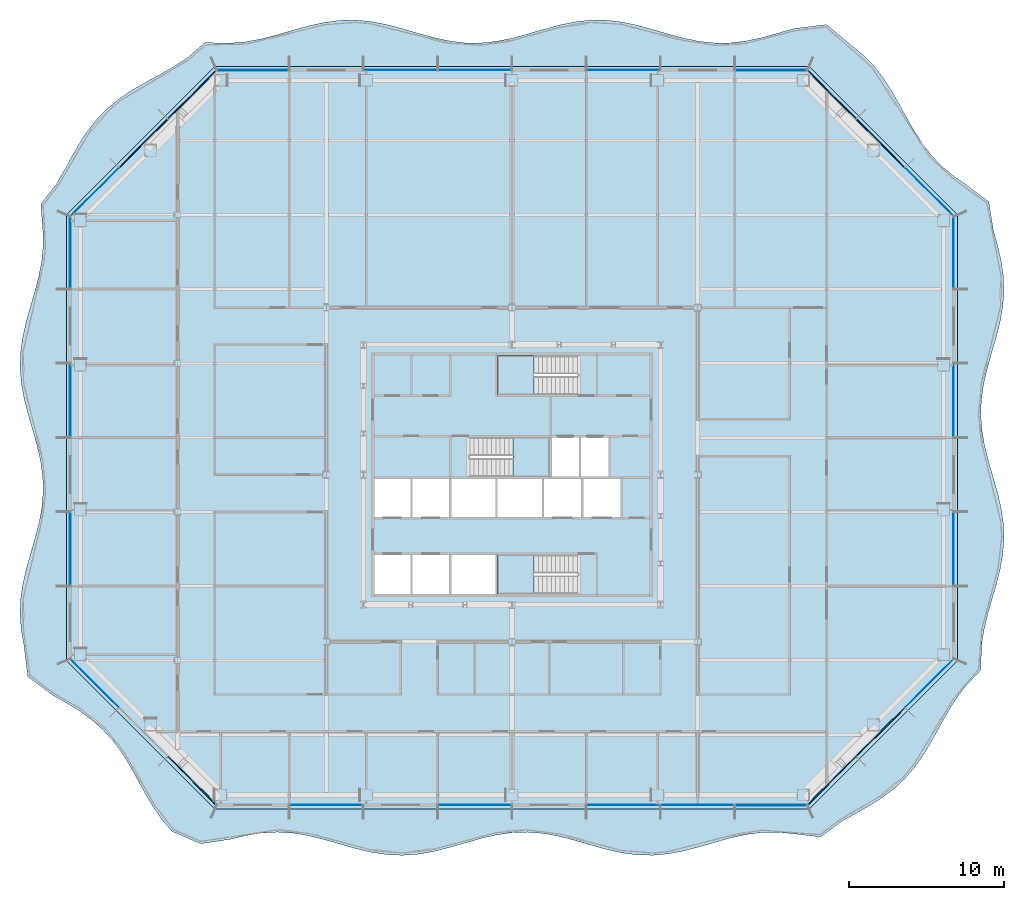
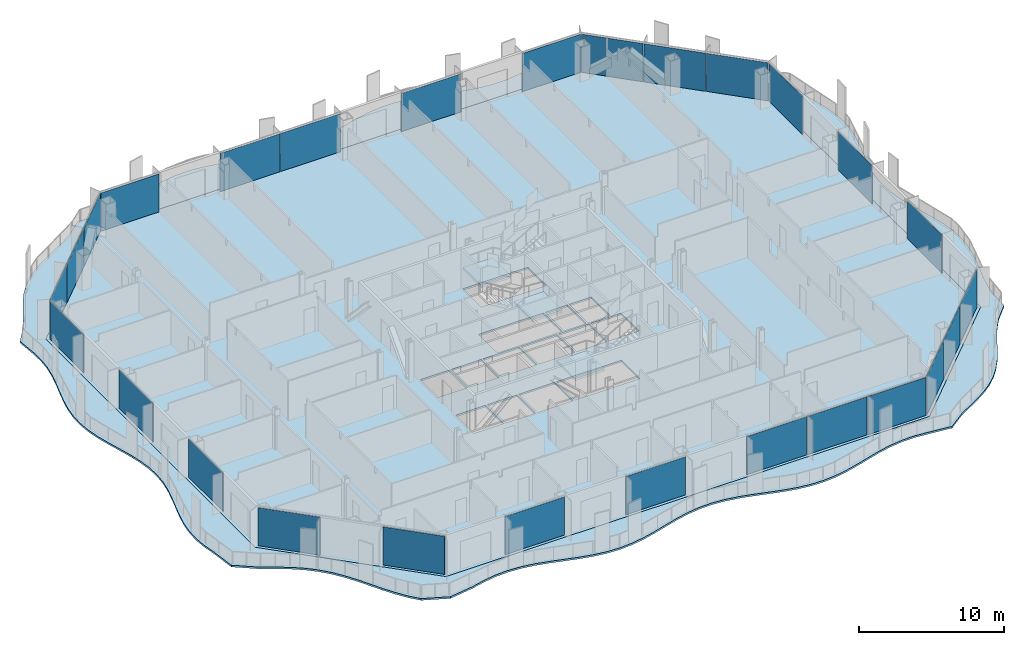
# One storey, part 6 of 23: 27 plates, 5 slabs, 11 elements without a shape of their own.
"""IFC4 building model written with IfcOpenShell, lengths in metres."""

import ifcopenshell
import ifcopenshell.guid

model = None  # the IFC model being written
_history = None  # IfcOwnerHistory: only IFC2X3 demands one
_inside = {}  # id of a spatial element -> (the spatial element, [elements in it])
_under = {}  # id of a project, library or spatial element -> (it, [spatial elements below it])
_declared = {}  # id of a project -> (the project, [libraries it declares])
_typed = {}  # id of a type object -> (the type object, [elements of that type])
_made_of = {}  # id of a material, layer set ... -> (it, [elements and type objects made of it])


def new_model(schema):
    """Start an empty IFC model of exactly this schema.

    Asked for "IFC4X3", IfcOpenShell would pick the latest addendum, in which some entities
    have other attributes; the version numbers below select the first issue.
    IFC2X3 requires an IfcOwnerHistory on every rooted entity: one is made here for all.
    """
    global model, _history
    if schema == "IFC4X3":
        model = ifcopenshell.file(schema_version=(4, 3, 0, 0))
    else:
        model = ifcopenshell.file(schema=schema)
    _inside.clear()
    _under.clear()
    _declared.clear()
    _typed.clear()
    _made_of.clear()
    _history = None
    if model.schema == "IFC2X3":
        org = make("IfcOrganization", Name="unknown")
        user = make(
            "IfcPersonAndOrganization",
            ThePerson=make("IfcPerson", FamilyName="unknown"),
            TheOrganization=org,
        )
        app = make(
            "IfcApplication",
            ApplicationDeveloper=org,
            Version="unknown",
            ApplicationFullName="unknown",
            ApplicationIdentifier="unknown",
        )
        _history = make(
            "IfcOwnerHistory",
            OwningUser=user,
            OwningApplication=app,
            ChangeAction="ADDED",
            CreationDate=0,
        )
    return model


def make(cls, **values):
    """One entity of the class cls with the attributes given. An attribute that is None is left unset."""
    return model.create_entity(
        cls, **{name: value for name, value in values.items() if value is not None}
    )


def rooted(cls, **values):
    """An entity with a GlobalId (a new one), such as an element, a storey or a relation."""
    return make(cls, GlobalId=ifcopenshell.guid.new(), OwnerHistory=_history, **values)


def si_unit(unit_type, name, prefix=None):
    """IfcSIUnit, for example si_unit("LENGTHUNIT", "METRE", prefix="MILLI")."""
    return make("IfcSIUnit", UnitType=unit_type, Prefix=prefix, Name=name)


def assignment(units):
    """IfcUnitAssignment: the units of a project."""
    return None if units is None else make("IfcUnitAssignment", Units=units)


def point(xyz):
    """IfcCartesianPoint."""
    return None if xyz is None else make("IfcCartesianPoint", Coordinates=xyz)


def direction(xyz):
    """IfcDirection."""
    return None if xyz is None else make("IfcDirection", DirectionRatios=xyz)


def frame(location, z_axis=None, x_axis=None):
    """IfcAxis2Placement3D, a coordinate frame: its origin and axes. An axis left out is left unset."""
    return make(
        "IfcAxis2Placement3D",
        Location=point(location),
        Axis=direction(z_axis),
        RefDirection=direction(x_axis),
    )


def frame_2d(location, x_axis=None):
    """IfcAxis2Placement2D, a coordinate frame in the plane: its origin and x axis."""
    return make(
        "IfcAxis2Placement2D", Location=point(location), RefDirection=direction(x_axis)
    )


def origin():
    """The frame at (0, 0, 0) with its axes left unset."""
    return frame((0.0, 0.0, 0.0))


def origin_2d():
    """The frame at (0, 0) in the plane with its x axis left unset."""
    return frame_2d((0.0, 0.0))


def place(relative_to, where):
    """IfcLocalPlacement: puts the frame where relative to a parent placement (None: the world)."""
    return make(
        "IfcLocalPlacement", PlacementRelTo=relative_to, RelativePlacement=where
    )


def context(
    kind, dimensions, precision=None, world=None, true_north=None, identifier=None
):
    """IfcGeometricRepresentationContext, for example the 3D "Model" context."""
    return make(
        "IfcGeometricRepresentationContext",
        ContextIdentifier=identifier,
        ContextType=kind,
        CoordinateSpaceDimension=dimensions,
        Precision=precision,
        WorldCoordinateSystem=world,
        TrueNorth=true_north,
    )


def subcontext(parent, identifier, kind, view, scale=None):
    """IfcGeometricRepresentationSubContext, for example "Body" below "Model"."""
    return make(
        "IfcGeometricRepresentationSubContext",
        ContextIdentifier=identifier,
        ContextType=kind,
        ParentContext=parent,
        TargetScale=scale,
        TargetView=view,
    )


def project(units=None, contexts=None):
    """IfcProject with its units and contexts."""
    return rooted(
        "IfcProject",
        Name="project",
        RepresentationContexts=contexts,
        UnitsInContext=assignment(units),
    )


def spatial(cls, under=None, at=None, **own):
    """A site, building, storey or space (cls), placed at a placement, below another one or the project."""
    s = rooted(cls, ObjectPlacement=at, **own)
    if under is not None:
        _under.setdefault(under.id(), (under, []))[1].append(s)
    return s


def polyline(points):
    """IfcPolyline through the points."""
    return make("IfcPolyline", Points=[point(p) for p in points])


def profile(cls, at=None, kind="AREA", **sizes):
    """A parametric profile (cls). Its sizes go by their IFC names, for example OverallWidth=200.0."""
    return make(cls, ProfileType=kind, Position=at, **sizes)


def rectangle(**sizes):
    """IfcRectangleProfileDef."""
    return profile("IfcRectangleProfileDef", **sizes)


def outline(outer, holes=None, kind="AREA"):
    """IfcArbitraryClosedProfileDef: a profile drawn as a closed curve; with holes, ...WithVoids."""
    if holes is None:
        return make("IfcArbitraryClosedProfileDef", ProfileType=kind, OuterCurve=outer)
    return make(
        "IfcArbitraryProfileDefWithVoids",
        ProfileType=kind,
        OuterCurve=outer,
        InnerCurves=holes,
    )


def extrude(swept, where, along, depth):
    """IfcExtrudedAreaSolid: the profile swept, set in the frame where, extruded along a direction by depth."""
    return make(
        "IfcExtrudedAreaSolid",
        SweptArea=swept,
        Position=where,
        ExtrudedDirection=direction(along),
        Depth=depth,
    )


def shape(context_of_items, identifier, shape_type, items):
    """IfcShapeRepresentation: the items that make up one representation, for example the "Body"."""
    return make(
        "IfcShapeRepresentation",
        ContextOfItems=context_of_items,
        RepresentationIdentifier=identifier,
        RepresentationType=shape_type,
        Items=items,
    )


def material(Name=None, Category=None):
    """IfcMaterial."""
    return make("IfcMaterial", Name=Name, Category=Category)


def layer(
    of_material, thickness, ventilated=None, Name=None, Category=None, Priority=None
):
    """IfcMaterialLayer: one layer of a wall or slab, of a material (None: an air gap)."""
    return make(
        "IfcMaterialLayer",
        Material=of_material,
        LayerThickness=thickness,
        IsVentilated=ventilated,
        Name=Name,
        Category=Category,
        Priority=Priority,
    )


def layer_set(layers, Name=None):
    """IfcMaterialLayerSet."""
    return make("IfcMaterialLayerSet", MaterialLayers=layers, LayerSetName=Name)


def made_of(thing, what):
    """Note that an element or type object is made of a material, layer set ...; save() writes the relation."""
    if what is not None:
        _made_of.setdefault(what.id(), (what, []))[1].append(thing)
    return thing


def type_object(cls, material=None, **own):
    """A type object (cls), such as IfcWallType, which elements share."""
    return made_of(rooted(cls, **own), material)


def element(
    cls,
    number,
    at=None,
    inside=None,
    cuts=None,
    type_object=None,
    material=None,
    context=None,
    identifier="Body",
    shape_type=None,
    held_by="IfcProductDefinitionShape",
    body=None,
    shapes=None,
    **own,
):
    """One element of the class cls, such as IfcWall. Its Tag is "e" and its number.

    at: its placement. inside: the storey or other place that contains it. cuts: it is an
    opening in that element (IfcRelVoidsElement). A single representation is given by context,
    identifier, shape_type and body (its items); several are given by shapes. held_by: the class
    of the entity that holds the representations. save() writes the other relations.
    """
    e = rooted(cls, Tag="e%d" % number, ObjectPlacement=at, **own)
    if body is not None:
        shapes = [shape(context, identifier, shape_type, body)]
    if shapes is not None:
        e.Representation = make(held_by, Representations=shapes)
    if inside is not None:
        _inside.setdefault(inside.id(), (inside, []))[1].append(e)
    if cuts is not None:
        rooted(
            "IfcRelVoidsElement", RelatingBuildingElement=cuts, RelatedOpeningElement=e
        )
    if type_object is not None:
        _typed.setdefault(type_object.id(), (type_object, []))[1].append(e)
    return made_of(e, material)


def aggregate(whole, parts):
    """IfcRelAggregates: a whole, such as a stair, and the parts it consists of."""
    return rooted("IfcRelAggregates", RelatingObject=whole, RelatedObjects=parts)


def save(model, path):
    """Write the relations noted so far, then the file.

    IfcRelAggregates (storeys below a building ...), IfcRelContainedInSpatialStructure (elements
    in a storey), IfcRelDefinesByType, IfcRelAssociatesMaterial and IfcRelDeclares: one each for
    every whole, place, type object, material and project.
    """
    for whole, parts in _under.values():
        aggregate(whole, parts)
    for where, things in _inside.values():
        rooted(
            "IfcRelContainedInSpatialStructure",
            RelatedElements=things,
            RelatingStructure=where,
        )
    for kind, things in _typed.values():
        rooted("IfcRelDefinesByType", RelatedObjects=things, RelatingType=kind)
    for what, things in _made_of.values():
        rooted("IfcRelAssociatesMaterial", RelatedObjects=things, RelatingMaterial=what)
    for by, libraries in _declared.values():
        rooted("IfcRelDeclares", RelatingContext=by, RelatedDefinitions=libraries)
    model.write(path)


model = new_model("IFC4")

# Units and contexts
model_context = context("Model", 3, precision=1e-05, world=origin(), true_north=direction((0.0, 1.0)))
body_context = subcontext(model_context, "Body", "Model", "MODEL_VIEW")
ifc_project = project(units=[si_unit("LENGTHUNIT", "METRE"), si_unit("AREAUNIT", "SQUARE_METRE"), si_unit("VOLUMEUNIT", "CUBIC_METRE"), si_unit("PLANEANGLEUNIT", "RADIAN"), si_unit("MASSUNIT", "GRAM", prefix="KILO")], contexts=[model_context])

# Site, building, storey
site_placement = place(None, origin())
site = spatial("IfcSite", under=ifc_project, at=site_placement, CompositionType="ELEMENT")
building_placement = place(site_placement, origin())
building = spatial("IfcBuilding", under=site, at=building_placement, Name="Cairn Pilgrim Tower", CompositionType="ELEMENT")
storey_placement = place(building_placement, frame((0.0, 0.0, 115.800048828125)))
storey = spatial("IfcBuildingStorey", under=building, at=storey_placement, Name="L28", CompositionType="ELEMENT", Elevation=115.800048828125)

# Slabs
ifc_material_1 = material(Name="Concrete C35/45", Category="concrete")
ifc_layer_1 = layer(ifc_material_1, 0.14990234375)
ifc_layer_set_1 = layer_set([ifc_layer_1], Name="BALCONY SLAB 150 CONCRETE C35/45")
slab_type_1 = type_object("IfcSlabType", Name="BALCONY SLAB 150 CONCRETE C35/45", PredefinedType="FLOOR", material=ifc_layer_set_1)
slab_1_placement = place(storey_placement, frame((0.0, 0.0, -0.150146484375)))
element("IfcSlab", 1, at=slab_1_placement, inside=storey, type_object=slab_type_1, Name="Balcony slab BS-1", PredefinedType="FLOOR", context=body_context, shape_type="SweptSolid", body=[
    extrude(outline(polyline([(-14.80419921875, -20.6328125), (-12.931884765625, -21.449951171875), (-10.989501953125, -21.16015625), (-9.97900390625, -20.915283203125), (-8.968505859375, -20.753662109375), (-7.9580078125, -20.7001953125), (-6.947265625, -20.76318359375), (-5.936767578125, -20.93310546875), (-4.92626953125, -21.18310546875), (-3.915771484375, -21.474853515625), (-2.9052734375, -21.7626953125), (-1.894775390625, -22.001708984375), (-0.88427734375, -22.1552734375), (0.126220703125, -22.198974609375), (1.136962890625, -22.12646484375), (2.1474609375, -21.94873046875), (3.157958984375, -21.693603515625), (4.16845703125, -21.400390625), (5.178955078125, -21.114990234375), (6.189453125, -20.881591796875), (7.199951171875, -20.73681640625), (8.21044921875, -20.70263671875), (9.220947265625, -20.78466796875), (10.231689453125, -20.969970703125), (11.2421875, -21.22998046875), (12.252685546875, -21.524169921875), (13.26318359375, -21.806884765625), (14.273681640625, -22.0341796875), (15.2841796875, -22.170654296875), (16.294677734375, -22.195068359375), (17.30517578125, -22.103515625), (18.315673828125, -21.91064453125), (19.326416015625, -21.64599609375), (20.3369140625, -21.35107421875), (21.347412109375, -21.071533203125), (22.35791015625, -20.8505859375), (23.368408203125, -20.722900390625), (24.37890625, -20.708251953125), (25.389404296875, -20.808837890625), (27.1494140625, -21.00927734375), (28.546875, -19.975341796875), (29.432861328125, -19.489990234375), (30.308837890625, -18.99462890625), (31.147705078125, -18.4619140625), (31.927001953125, -17.869873046875), (32.633544921875, -17.205078125), (33.2646484375, -16.464599609375), (33.82763671875, -15.65625), (34.340576171875, -14.797607421875), (34.827880859375, -13.91357421875), (35.318115234375, -13.0322265625), (35.839111328125, -12.18212890625), (36.414794921875, -11.38623046875), (37.5, -10.221435546875), (37.5537109375, -8.60693359375), (37.7119140625, -7.61376953125), (37.950927734375, -6.62060546875), (38.23486328125, -5.627685546875), (38.521240234375, -4.634521484375), (38.7666015625, -3.641357421875), (38.9345703125, -2.648193359375), (38.999755859375, -1.6552734375), (38.9521484375, -0.662109375), (38.79931640625, 0.3310546875), (38.563720703125, 1.32421875), (38.28125, 2.317138671875), (37.994140625, 3.310302734375), (37.745361328125, 4.303466796875), (37.572265625, 5.296630859375), (37.5009765625, 6.28955078125), (37.542236328125, 7.28271484375), (37.68994140625, 8.27587890625), (37.92138671875, 9.26904296875), (38.202392578125, 10.261962890625), (38.49072265625, 11.255126953125), (38.74267578125, 12.248291015625), (38.920654296875, 13.241455078125), (38.998046875, 14.234375), (38.962890625, 15.2275390625), (38.82080078125, 16.220703125), (38.593017578125, 17.2138671875), (38.313720703125, 18.206787109375), (38.02490234375, 20.038818359375), (36.5693359375, 21.140869140625), (35.755126953125, 21.697998046875), (35.007568359375, 22.32177734375), (34.335205078125, 23.02099609375), (33.736572265625, 23.793701171875), (33.19873046875, 24.627197265625), (32.70068359375, 25.500732421875), (32.2158203125, 26.38720703125), (31.71484375, 27.2578125), (31.171875, 28.0859375), (30.56591796875, 28.8515625), (29.8857421875, 29.54296875), (29.130615234375, 30.1591796875), (27.519287109375, 31.501953125), (25.389404296875, 31.235595703125), (24.37890625, 30.940185546875), (23.368408203125, 30.662109375), (22.35791015625, 30.444091796875), (21.347412109375, 30.3203125), (20.3369140625, 30.31005859375), (19.326416015625, 30.41455078125), (18.315673828125, 30.6181640625), (17.30517578125, 30.888671875), (16.294677734375, 31.184326171875), (15.2841796875, 31.458984375), (14.273681640625, 31.670166015625), (13.26318359375, 31.784912109375), (12.252685546875, 31.78564453125), (11.2421875, 31.671875), (10.231689453125, 31.46142578125), (9.220947265625, 31.18701171875), (8.21044921875, 30.891357421875), (7.199951171875, 30.620361328125), (6.189453125, 30.416259765625), (5.178955078125, 30.310546875), (4.16845703125, 30.319580078125), (3.157958984375, 30.4423828125), (2.1474609375, 30.659423828125), (1.136962890625, 30.937255859375), (0.126220703125, 31.232666015625), (-0.88427734375, 31.499755859375), (-1.894775390625, 31.69677734375), (-2.9052734375, 31.793212890625), (-3.915771484375, 31.774169921875), (-4.92626953125, 31.642822265625), (-5.936767578125, 31.419189453125), (-6.947265625, 31.13818359375), (-7.9580078125, 30.84326171875), (-8.968505859375, 30.580810546875), (-9.97900390625, 30.39111328125), (-10.989501953125, 30.303955078125), (-12.634765625, 30.33251953125), (-13.86328125, 29.291748046875), (-14.701904296875, 28.759033203125), (-15.577880859375, 28.263671875), (-16.464111328125, 27.7783203125), (-17.33154296875, 27.2744140625), (-18.154296875, 26.725830078125), (-18.912841796875, 26.11279296875), (-19.596435546875, 25.425048828125), (-20.20556640625, 24.662841796875), (-20.751220703125, 23.8369140625), (-21.253662109375, 22.9677734375), (-21.73876953125, 22.08154296875), (-22.2353515625, 21.206787109375), (-23.255615234375, 19.8857421875), (-23.12646484375, 18.206787109375), (-23.105712890625, 17.2138671875), (-23.19677734375, 16.220703125), (-23.385986328125, 15.2275390625), (-23.64501953125, 14.234375), (-23.9345703125, 13.241455078125), (-24.211669921875, 12.248291015625), (-24.434326171875, 11.255126953125), (-24.569091796875, 10.261962890625), (-24.59619140625, 9.26904296875), (-24.510986328125, 8.27587890625), (-24.32666015625, 7.28271484375), (-24.070556640625, 6.28955078125), (-23.781494140625, 5.296630859375), (-23.502685546875, 4.303466796875), (-23.276123046875, 3.310302734375), (-23.135498046875, 2.317138671875), (-23.1025390625, 1.32421875), (-23.181640625, 0.3310546875), (-23.361083984375, -0.662109375), (-23.614013671875, -1.6552734375), (-23.90234375, -2.648193359375), (-24.182861328125, -3.641357421875), (-24.413330078125, -4.634521484375), (-24.559326171875, -5.627685546875), (-24.5986328125, -6.62060546875), (-24.525634765625, -7.61376953125), (-24.351318359375, -8.60693359375), (-24.1015625, -10.63623046875), (-22.484619140625, -11.85595703125), (-21.603515625, -12.34619140625), (-20.753173828125, -12.867431640625), (-19.95751953125, -13.443115234375), (-19.232177734375, -14.08935546875), (-18.582763671875, -14.811279296875), (-18.004150390625, -15.60400390625), (-17.48095703125, -16.452392578125), (-16.98974609375, -17.332763671875), (-16.5029296875, -18.21728515625), (-15.991943359375, -19.07763671875), (-15.431640625, -19.888916015625), (-14.80419921875, -20.6328125)]), holes=[polyline([(26.39990234375, -19.199951171875), (-12.0, -19.199951171875), (-21.60009765625, -9.60009765625), (-21.60009765625, 19.199951171875), (-12.0, 28.800048828125), (26.39990234375, 28.800048828125), (36.0, 19.199951171875), (36.0, -9.60009765625), (26.39990234375, -19.199951171875)])]), origin(), (0.0, 0.0, 1.0), 0.150146484375),
])
ifc_layer_2 = layer(ifc_material_1, 0.14990234375)
ifc_layer_set_2 = layer_set([ifc_layer_2], Name="COMPOSITE FLOOR SLAB 150")
slab_type_2 = type_object("IfcSlabType", Name="COMPOSITE FLOOR SLAB 150", PredefinedType="FLOOR", material=ifc_layer_set_2)
slab_2_placement = place(storey_placement, frame((0.0, 0.0, -0.150146484375)))
element("IfcSlab", 2, at=slab_2_placement, inside=storey, type_object=slab_type_2, Name="FLOOR SLAB L28", PredefinedType="FLOOR", context=body_context, shape_type="SweptSolid", body=[
    extrude(outline(polyline([(-12.0, -19.199951171875), (26.39990234375, -19.199951171875), (36.0, -9.60009765625), (36.0, 19.199951171875), (26.39990234375, 28.800048828125), (-12.0, 28.800048828125), (-21.60009765625, 19.199951171875), (-21.60009765625, -9.60009765625), (-12.0, -19.199951171875)]), holes=[polyline([(-1.72509765625, -5.300048828125), (0.625, -5.300048828125), (0.625, -2.77490234375), (-1.72509765625, -2.77490234375), (-1.72509765625, -5.300048828125)]), polyline([(0.77490234375, -5.300048828125), (3.125, -5.300048828125), (3.125, -2.77490234375), (0.77490234375, -2.77490234375), (0.77490234375, -5.300048828125)]), polyline([(-1.72509765625, -0.324951171875), (0.625, -0.324951171875), (0.625, 2.125), (-1.72509765625, 2.125), (-1.72509765625, -0.324951171875)]), polyline([(0.77490234375, -0.324951171875), (3.125, -0.324951171875), (3.125, 2.125), (0.77490234375, 2.125), (0.77490234375, -0.324951171875)]), polyline([(3.27490234375, -5.300048828125), (6.125, -5.300048828125), (6.125, -2.77490234375), (3.27490234375, -2.77490234375), (3.27490234375, -5.300048828125)]), polyline([(3.27490234375, -0.324951171875), (6.125, -0.324951171875), (6.125, 2.125), (3.27490234375, 2.125), (3.27490234375, -0.324951171875)]), polyline([(6.27490234375, -0.324951171875), (9.125, -0.324951171875), (9.125, 2.125), (6.27490234375, 2.125), (6.27490234375, -0.324951171875)]), polyline([(9.27490234375, -0.324951171875), (11.675048828125, -0.324951171875), (11.675048828125, 2.125), (9.27490234375, 2.125), (9.27490234375, -0.324951171875)]), polyline([(11.824951171875, -0.324951171875), (14.22509765625, -0.324951171875), (14.22509765625, 2.125), (11.824951171875, 2.125), (11.824951171875, -0.324951171875)]), polyline([(9.77490234375, 2.27490234375), (11.52490234375, 2.27490234375), (11.52490234375, 4.824951171875), (9.77490234375, 4.824951171875), (9.77490234375, 2.27490234375)]), polyline([(11.675048828125, 2.27490234375), (13.425048828125, 2.27490234375), (13.425048828125, 4.824951171875), (11.675048828125, 4.824951171875), (11.675048828125, 2.27490234375)]), polyline([(11.424560546875, -2.77490234375), (6.27490234375, -2.77490234375), (6.27490234375, -5.300048828125), (11.424560546875, -5.300048828125), (11.424560546875, -2.77490234375)]), polyline([(4.4755859375, 2.27490234375), (9.625, 2.27490234375), (9.625, 4.824951171875), (4.4755859375, 4.824951171875), (4.4755859375, 2.27490234375)]), polyline([(11.424560546875, 10.10009765625), (6.27490234375, 10.10009765625), (6.27490234375, 7.574951171875), (11.424560546875, 7.574951171875), (11.424560546875, 10.10009765625)])]), origin(), (0.0, 0.0, 1.0), 0.150146484375),
])

# Curtain wall, plate
ifc_material_2 = material(Name="Aluminium alloy 6063-T6 bronze anodised with Bronze tinted laminated low-E glass 8+16+8.8", Category="aluminium")
curtain_wall_type_1 = type_object("IfcCurtainWallType", Name="CHAMFER CORNER CURTAIN WALL", PredefinedType="NOTDEFINED", material=ifc_material_2)
curtain_wall_1_placement = place(storey_placement, origin())
curtain_wall_1 = element("IfcCurtainWall", 3, at=curtain_wall_1_placement, inside=storey, type_object=curtain_wall_type_1, Name="Chamfer Corner Curtain Wall SE", PredefinedType="NOTDEFINED")
ifc_material_3 = material(Name="Bronze anodised aluminium spandrel panel with mineral wool insulation", Category="aluminium")
ifc_layer_3 = layer(ifc_material_3, 0.06005859375)
ifc_layer_set_3 = layer_set([ifc_layer_3], Name="SPANDREL PANEL 4386x3200")
plate_type_1 = type_object("IfcPlateType", Name="SPANDREL PANEL 4386x3200", PredefinedType="CURTAIN_PANEL", material=ifc_layer_set_3)
plate_1_placement = place(storey_placement, frame((27.87548828125, -17.370849609375, 0.0), z_axis=(0.0, 0.0, 1.0), x_axis=(0.707106781187, 0.707106781187, 0.0)))
plate_1 = element("IfcPlate", 4, at=plate_1_placement, type_object=plate_type_1, Name="Spandrel Panel SE1-1", PredefinedType="CURTAIN_PANEL", context=body_context, shape_type="SweptSolid", body=[
    extrude(rectangle(XDim=4.386474609375, YDim=0.06005859375, at=origin_2d()), origin(), (0.0, 0.0, 1.0), 3.199951171875),
])

curtain_wall_2_placement = place(storey_placement, origin())
curtain_wall_2 = element("IfcCurtainWall", 5, at=curtain_wall_2_placement, inside=storey, type_object=curtain_wall_type_1, Name="Chamfer Corner Curtain Wall NE", PredefinedType="NOTDEFINED")
plate_2_placement = place(storey_placement, frame((27.87548828125, 26.970947265625, 0.0), z_axis=(0.0, 0.0, 1.0), x_axis=(-0.707106781187, 0.707106781187, 0.0)))
plate_2 = element("IfcPlate", 6, at=plate_2_placement, type_object=plate_type_1, Name="Spandrel Panel NE3-1", PredefinedType="CURTAIN_PANEL", context=body_context, shape_type="SweptSolid", body=[
    extrude(rectangle(XDim=4.386474609375, YDim=0.06005859375, at=origin_2d()), origin(), (0.0, 0.0, 1.0), 3.199951171875),
])

curtain_wall_3_placement = place(storey_placement, origin())
curtain_wall_3 = element("IfcCurtainWall", 7, at=curtain_wall_3_placement, inside=storey, type_object=curtain_wall_type_1, Name="Chamfer Corner Curtain Wall NW", PredefinedType="NOTDEFINED")
plate_3_placement = place(storey_placement, frame((-13.4755859375, 26.970947265625, 0.0), z_axis=(0.0, 0.0, 1.0), x_axis=(-0.707106781187, -0.707106781187, 0.0)))
plate_3 = element("IfcPlate", 8, at=plate_3_placement, type_object=plate_type_1, Name="Spandrel Panel NW1-1", PredefinedType="CURTAIN_PANEL", context=body_context, shape_type="SweptSolid", body=[
    extrude(rectangle(XDim=4.386474609375, YDim=0.06005859375, at=origin_2d()), origin(), (0.0, 0.0, 1.0), 3.199951171875),
])

curtain_wall_4_placement = place(storey_placement, origin())
curtain_wall_4 = element("IfcCurtainWall", 9, at=curtain_wall_4_placement, inside=storey, type_object=curtain_wall_type_1, Name="Chamfer Corner Curtain Wall SW", PredefinedType="NOTDEFINED")
plate_4_placement = place(storey_placement, frame((-13.4755859375, -17.370849609375, 0.0), z_axis=(0.0, 0.0, 1.0), x_axis=(0.707106781187, -0.707106781187, 0.0)))
plate_4 = element("IfcPlate", 10, at=plate_4_placement, type_object=plate_type_1, Name="Spandrel Panel SW3-1", PredefinedType="CURTAIN_PANEL", context=body_context, shape_type="SweptSolid", body=[
    extrude(rectangle(XDim=4.386474609375, YDim=0.06005859375, at=origin_2d()), origin(), (0.0, 0.0, 1.0), 3.199951171875),
])

# Plate
ifc_layer_4 = layer(ifc_material_3, 0.06005859375)
ifc_layer_set_4 = layer_set([ifc_layer_4], Name="SPANDREL PANEL 4396x3200")
plate_type_2 = type_object("IfcPlateType", Name="SPANDREL PANEL 4396x3200", PredefinedType="CURTAIN_PANEL", material=ifc_layer_set_4)
plate_5_placement = place(storey_placement, frame((31.023193359375, -14.22314453125, 0.0), z_axis=(0.0, 0.0, 1.0), x_axis=(0.707106781187, 0.707106781187, 0.0)))
plate_5 = element("IfcPlate", 11, at=plate_5_placement, type_object=plate_type_2, Name="Spandrel Panel SE2-1", PredefinedType="CURTAIN_PANEL", context=body_context, shape_type="SweptSolid", body=[
    extrude(rectangle(XDim=4.396484375, YDim=0.06005859375, at=origin_2d()), origin(), (0.0, 0.0, 1.0), 3.199951171875),
])

plate_6_placement = place(storey_placement, frame((31.023193359375, 23.8232421875, 0.0), z_axis=(0.0, 0.0, 1.0), x_axis=(-0.707106781187, 0.707106781187, 0.0)))
plate_6 = element("IfcPlate", 12, at=plate_6_placement, type_object=plate_type_2, Name="Spandrel Panel NE2-1", PredefinedType="CURTAIN_PANEL", context=body_context, shape_type="SweptSolid", body=[
    extrude(rectangle(XDim=4.396484375, YDim=0.06005859375, at=origin_2d()), origin(), (0.0, 0.0, 1.0), 3.199951171875),
])

plate_7_placement = place(storey_placement, frame((-16.623291015625, 23.8232421875, 0.0), z_axis=(0.0, 0.0, 1.0), x_axis=(-0.707106781187, -0.707106781187, 0.0)))
plate_7 = element("IfcPlate", 13, at=plate_7_placement, type_object=plate_type_2, Name="Spandrel Panel NW2-1", PredefinedType="CURTAIN_PANEL", context=body_context, shape_type="SweptSolid", body=[
    extrude(rectangle(XDim=4.396484375, YDim=0.06005859375, at=origin_2d()), origin(), (0.0, 0.0, 1.0), 3.199951171875),
])

# Curtain wall, plate
curtain_wall_type_2 = type_object("IfcCurtainWallType", Name="TOWER STICK CURTAIN WALL NS", PredefinedType="NOTDEFINED", material=ifc_material_2)
curtain_wall_5_placement = place(storey_placement, origin())
curtain_wall_5 = element("IfcCurtainWall", 14, at=curtain_wall_5_placement, inside=storey, type_object=curtain_wall_type_2, Name="Tower Stick Curtain Wall Ns S", PredefinedType="NOTDEFINED")
ifc_layer_5 = layer(ifc_material_3, 0.06005859375)
ifc_layer_set_5 = layer_set([ifc_layer_5], Name="SPANDREL PANEL 4626x3200")
plate_type_3 = type_object("IfcPlateType", Name="SPANDREL PANEL 4626x3200", PredefinedType="CURTAIN_PANEL", material=ifc_layer_set_5)
plate_8_placement = place(storey_placement, frame((23.943115234375, -18.949951171875, 0.0), z_axis=(0.0, 0.0, 1.0), x_axis=(1.0, 0.0, 0.0)))
plate_8 = element("IfcPlate", 15, at=plate_8_placement, type_object=plate_type_3, Name="Spandrel Panel S8-1", PredefinedType="CURTAIN_PANEL", context=body_context, shape_type="SweptSolid", body=[
    extrude(rectangle(XDim=4.62646484375, YDim=0.06005859375, at=origin_2d()), origin(), (0.0, 0.0, 1.0), 3.199951171875),
])

# Curtain wall, plates
curtain_wall_6_placement = place(storey_placement, origin())
curtain_wall_6 = element("IfcCurtainWall", 16, at=curtain_wall_6_placement, inside=storey, type_object=curtain_wall_type_2, Name="Tower Stick Curtain Wall Ns N", PredefinedType="NOTDEFINED")
plate_9_placement = place(storey_placement, frame((23.943115234375, 28.550048828125, 0.0), z_axis=(0.0, 0.0, 1.0), x_axis=(-1.0, 0.0, 0.0)))
plate_9 = element("IfcPlate", 17, at=plate_9_placement, type_object=plate_type_3, Name="Spandrel Panel N1-1", PredefinedType="CURTAIN_PANEL", context=body_context, shape_type="SweptSolid", body=[
    extrude(rectangle(XDim=4.62646484375, YDim=0.06005859375, at=origin_2d()), origin(), (0.0, 0.0, 1.0), 3.199951171875),
])
plate_10_placement = place(storey_placement, frame((-9.543212890625, 28.550048828125, 0.0), z_axis=(0.0, 0.0, 1.0), x_axis=(-1.0, 0.0, 0.0)))
plate_10 = element("IfcPlate", 18, at=plate_10_placement, type_object=plate_type_3, Name="Spandrel Panel N8-1", PredefinedType="CURTAIN_PANEL", context=body_context, shape_type="SweptSolid", body=[
    extrude(rectangle(XDim=4.62646484375, YDim=0.06005859375, at=origin_2d()), origin(), (0.0, 0.0, 1.0), 3.199951171875),
])

# Stair, slab
ifc_material_4 = material(Name="Concrete C32/40", Category="concrete")
stair_type = type_object("IfcStairType", Name="EXIT STAIR 1200", PredefinedType="HALF_TURN_STAIR", material=ifc_material_4)
stair_1_placement = place(storey_placement, origin())
stair_1 = element("IfcStair", 19, at=stair_1_placement, inside=storey, type_object=stair_type, Name="L28 Exit Stair A", PredefinedType="HALF_TURN_STAIR")
ifc_layer_6 = layer(ifc_material_4, 0.199951171875)
ifc_layer_set_6 = layer_set([ifc_layer_6], Name="STAIR LANDING 200")
slab_type_3 = type_object("IfcSlabType", Name="STAIR LANDING 200", PredefinedType="LANDING", material=ifc_layer_set_6)
slab_3_placement = place(storey_placement, frame((0.0, 0.0, 1.599853515625)))
slab_3 = element("IfcSlab", 20, at=slab_3_placement, type_object=slab_type_3, Name="ST-A landing 1", PredefinedType="LANDING", context=body_context, shape_type="SweptSolid", body=[
    extrude(outline(polyline([(8.625, -2.77490234375), (6.27490234375, -2.77490234375), (6.27490234375, -5.300048828125), (8.625, -5.300048828125), (8.625, -2.77490234375)])), origin(), (0.0, 0.0, 1.0), 0.2001953125),
])
aggregate(stair_1, [slab_3])

stair_2_placement = place(storey_placement, origin())
stair_2 = element("IfcStair", 21, at=stair_2_placement, inside=storey, type_object=stair_type, Name="L28 Exit Stair B", PredefinedType="HALF_TURN_STAIR")
slab_4_placement = place(storey_placement, frame((0.0, 0.0, 1.599853515625)))
slab_4 = element("IfcSlab", 22, at=slab_4_placement, type_object=slab_type_3, Name="ST-B landing 1", PredefinedType="LANDING", context=body_context, shape_type="SweptSolid", body=[
    extrude(outline(polyline([(7.27490234375, 2.27490234375), (9.625, 2.27490234375), (9.625, 4.824951171875), (7.27490234375, 4.824951171875), (7.27490234375, 2.27490234375)])), origin(), (0.0, 0.0, 1.0), 0.2001953125),
])
aggregate(stair_2, [slab_4])

stair_3_placement = place(storey_placement, origin())
stair_3 = element("IfcStair", 23, at=stair_3_placement, inside=storey, type_object=stair_type, Name="L28 Exit Stair C", PredefinedType="HALF_TURN_STAIR")
slab_5_placement = place(storey_placement, frame((0.0, 0.0, 1.599853515625)))
slab_5 = element("IfcSlab", 24, at=slab_5_placement, type_object=slab_type_3, Name="ST-C landing 1", PredefinedType="LANDING", context=body_context, shape_type="SweptSolid", body=[
    extrude(outline(polyline([(8.625, 10.10009765625), (6.27490234375, 10.10009765625), (6.27490234375, 7.574951171875), (8.625, 7.574951171875), (8.625, 10.10009765625)])), origin(), (0.0, 0.0, 1.0), 0.2001953125),
])
aggregate(stair_3, [slab_5])

# Plate
ifc_material_5 = material(Name="Bronze tinted laminated low-E glass 8+16+8.8", Category="glass")
ifc_layer_7 = layer(ifc_material_5, 0.033935546875)
ifc_layer_set_7 = layer_set([ifc_layer_7], Name="VISION GLAZING 4386x3200")
plate_type_4 = type_object("IfcPlateType", Name="VISION GLAZING 4386x3200", PredefinedType="CURTAIN_PANEL", material=ifc_layer_set_7)
plate_11_placement = place(storey_placement, frame((34.1708984375, -11.07568359375, 0.0), z_axis=(0.0, 0.0, 1.0), x_axis=(0.707106781187, 0.707106781187, 0.0)))
plate_11 = element("IfcPlate", 25, at=plate_11_placement, type_object=plate_type_4, Name="Vision Glazing SE3-1", PredefinedType="CURTAIN_PANEL", context=body_context, shape_type="SweptSolid", body=[
    extrude(rectangle(XDim=4.386474609375, YDim=0.033935546875, at=origin_2d()), origin(), (0.0, 0.0, 1.0), 3.199951171875),
])

aggregate(curtain_wall_1, [plate_1, plate_5, plate_11])

plate_12_placement = place(storey_placement, frame((34.1708984375, 20.675537109375, 0.0), z_axis=(0.0, 0.0, 1.0), x_axis=(-0.707106781187, 0.707106781187, 0.0)))
plate_12 = element("IfcPlate", 26, at=plate_12_placement, type_object=plate_type_4, Name="Vision Glazing NE1-1", PredefinedType="CURTAIN_PANEL", context=body_context, shape_type="SweptSolid", body=[
    extrude(rectangle(XDim=4.386474609375, YDim=0.033935546875, at=origin_2d()), origin(), (0.0, 0.0, 1.0), 3.199951171875),
])

aggregate(curtain_wall_2, [plate_12, plate_6, plate_2])

plate_13_placement = place(storey_placement, frame((-19.770751953125, 20.675537109375, 0.0), z_axis=(0.0, 0.0, 1.0), x_axis=(-0.707106781187, -0.707106781187, 0.0)))
plate_13 = element("IfcPlate", 27, at=plate_13_placement, type_object=plate_type_4, Name="Vision Glazing NW3-1", PredefinedType="CURTAIN_PANEL", context=body_context, shape_type="SweptSolid", body=[
    extrude(rectangle(XDim=4.386474609375, YDim=0.033935546875, at=origin_2d()), origin(), (0.0, 0.0, 1.0), 3.199951171875),
])

aggregate(curtain_wall_3, [plate_3, plate_7, plate_13])

plate_14_placement = place(storey_placement, frame((-19.770751953125, -11.07568359375, 0.0), z_axis=(0.0, 0.0, 1.0), x_axis=(0.707106781187, -0.707106781187, 0.0)))
plate_14 = element("IfcPlate", 28, at=plate_14_placement, type_object=plate_type_4, Name="Vision Glazing SW1-1", PredefinedType="CURTAIN_PANEL", context=body_context, shape_type="SweptSolid", body=[
    extrude(rectangle(XDim=4.386474609375, YDim=0.033935546875, at=origin_2d()), origin(), (0.0, 0.0, 1.0), 3.199951171875),
])

aggregate(curtain_wall_4, [plate_14, plate_4])

# Curtain wall, plate
curtain_wall_type_3 = type_object("IfcCurtainWallType", Name="TOWER STICK CURTAIN WALL EW", PredefinedType="NOTDEFINED", material=ifc_material_2)
curtain_wall_7_placement = place(storey_placement, origin())
curtain_wall_7 = element("IfcCurtainWall", 29, at=curtain_wall_7_placement, inside=storey, type_object=curtain_wall_type_3, Name="Tower Stick Curtain Wall Ew E", PredefinedType="NOTDEFINED")
ifc_layer_8 = layer(ifc_material_5, 0.033935546875)
ifc_layer_set_8 = layer_set([ifc_layer_8], Name="VISION GLAZING 4626x3200")
plate_type_5 = type_object("IfcPlateType", Name="VISION GLAZING 4626x3200", PredefinedType="CURTAIN_PANEL", material=ifc_layer_set_8)
plate_15_placement = place(storey_placement, frame((35.75, 16.7431640625, 0.0), z_axis=(0.0, 0.0, 1.0), x_axis=(0.0, 1.0, 0.0)))
plate_15 = element("IfcPlate", 30, at=plate_15_placement, type_object=plate_type_5, Name="Vision Glazing E6-1", PredefinedType="CURTAIN_PANEL", context=body_context, shape_type="SweptSolid", body=[
    extrude(rectangle(XDim=4.62646484375, YDim=0.033935546875, at=origin_2d()), origin(), (0.0, 0.0, 1.0), 3.199951171875),
])

curtain_wall_8_placement = place(storey_placement, origin())
curtain_wall_8 = element("IfcCurtainWall", 31, at=curtain_wall_8_placement, inside=storey, type_object=curtain_wall_type_3, Name="Tower Stick Curtain Wall Ew W", PredefinedType="NOTDEFINED")
plate_16_placement = place(storey_placement, frame((-21.35009765625, 16.7431640625, 0.0), z_axis=(0.0, 0.0, 1.0), x_axis=(0.0, -1.0, 0.0)))
plate_16 = element("IfcPlate", 32, at=plate_16_placement, type_object=plate_type_5, Name="Vision Glazing W1-1", PredefinedType="CURTAIN_PANEL", context=body_context, shape_type="SweptSolid", body=[
    extrude(rectangle(XDim=4.62646484375, YDim=0.033935546875, at=origin_2d()), origin(), (0.0, 0.0, 1.0), 3.199951171875),
])

# Plate
ifc_layer_9 = layer(ifc_material_5, 0.033935546875)
ifc_layer_set_9 = layer_set([ifc_layer_9], Name="VISION GLAZING 4740x3200")
plate_type_6 = type_object("IfcPlateType", Name="VISION GLAZING 4740x3200", PredefinedType="CURTAIN_PANEL", material=ifc_layer_set_9)
plate_17_placement = place(storey_placement, frame((-4.800048828125, -18.949951171875, 0.0), z_axis=(0.0, 0.0, 1.0), x_axis=(1.0, 0.0, 0.0)))
plate_17 = element("IfcPlate", 33, at=plate_17_placement, type_object=plate_type_6, Name="Vision Glazing S2-1", PredefinedType="CURTAIN_PANEL", context=body_context, shape_type="SweptSolid", body=[
    extrude(rectangle(XDim=4.739990234375, YDim=0.033935546875, at=origin_2d()), origin(), (0.0, 0.0, 1.0), 3.199951171875),
])

plate_18_placement = place(storey_placement, frame((4.800048828125, -18.949951171875, 0.0), z_axis=(0.0, 0.0, 1.0), x_axis=(1.0, 0.0, 0.0)))
plate_18 = element("IfcPlate", 34, at=plate_18_placement, type_object=plate_type_6, Name="Vision Glazing S4-1", PredefinedType="CURTAIN_PANEL", context=body_context, shape_type="SweptSolid", body=[
    extrude(rectangle(XDim=4.739990234375, YDim=0.033935546875, at=origin_2d()), origin(), (0.0, 0.0, 1.0), 3.199951171875),
])

plate_19_placement = place(storey_placement, frame((14.39990234375, -18.949951171875, 0.0), z_axis=(0.0, 0.0, 1.0), x_axis=(1.0, 0.0, 0.0)))
plate_19 = element("IfcPlate", 35, at=plate_19_placement, type_object=plate_type_6, Name="Vision Glazing S6-1", PredefinedType="CURTAIN_PANEL", context=body_context, shape_type="SweptSolid", body=[
    extrude(rectangle(XDim=4.739990234375, YDim=0.033935546875, at=origin_2d()), origin(), (0.0, 0.0, 1.0), 3.199951171875),
])

plate_20_placement = place(storey_placement, frame((19.199951171875, -18.949951171875, 0.0), z_axis=(0.0, 0.0, 1.0), x_axis=(1.0, 0.0, 0.0)))
plate_20 = element("IfcPlate", 36, at=plate_20_placement, type_object=plate_type_6, Name="Vision Glazing S7-1", PredefinedType="CURTAIN_PANEL", context=body_context, shape_type="SweptSolid", body=[
    extrude(rectangle(XDim=4.739990234375, YDim=0.033935546875, at=origin_2d()), origin(), (0.0, 0.0, 1.0), 3.199951171875),
])

aggregate(curtain_wall_5, [plate_17, plate_18, plate_19, plate_20, plate_8])

plate_21_placement = place(storey_placement, frame((35.75, -2.39990234375, 0.0), z_axis=(0.0, 0.0, 1.0), x_axis=(0.0, 1.0, 0.0)))
plate_21 = element("IfcPlate", 37, at=plate_21_placement, type_object=plate_type_6, Name="Vision Glazing E2-1", PredefinedType="CURTAIN_PANEL", context=body_context, shape_type="SweptSolid", body=[
    extrude(rectangle(XDim=4.739990234375, YDim=0.033935546875, at=origin_2d()), origin(), (0.0, 0.0, 1.0), 3.199951171875),
])

plate_22_placement = place(storey_placement, frame((35.75, 7.199951171875, 0.0), z_axis=(0.0, 0.0, 1.0), x_axis=(0.0, 1.0, 0.0)))
plate_22 = element("IfcPlate", 38, at=plate_22_placement, type_object=plate_type_6, Name="Vision Glazing E4-1", PredefinedType="CURTAIN_PANEL", context=body_context, shape_type="SweptSolid", body=[
    extrude(rectangle(XDim=4.739990234375, YDim=0.033935546875, at=origin_2d()), origin(), (0.0, 0.0, 1.0), 3.199951171875),
])

aggregate(curtain_wall_7, [plate_21, plate_22, plate_15])

plate_23_placement = place(storey_placement, frame((14.39990234375, 28.550048828125, 0.0), z_axis=(0.0, 0.0, 1.0), x_axis=(-1.0, 0.0, 0.0)))
plate_23 = element("IfcPlate", 39, at=plate_23_placement, type_object=plate_type_6, Name="Vision Glazing N3-1", PredefinedType="CURTAIN_PANEL", context=body_context, shape_type="SweptSolid", body=[
    extrude(rectangle(XDim=4.739990234375, YDim=0.033935546875, at=origin_2d()), origin(), (0.0, 0.0, 1.0), 3.199951171875),
])

plate_24_placement = place(storey_placement, frame((4.800048828125, 28.550048828125, 0.0), z_axis=(0.0, 0.0, 1.0), x_axis=(-1.0, 0.0, 0.0)))
plate_24 = element("IfcPlate", 40, at=plate_24_placement, type_object=plate_type_6, Name="Vision Glazing N5-1", PredefinedType="CURTAIN_PANEL", context=body_context, shape_type="SweptSolid", body=[
    extrude(rectangle(XDim=4.739990234375, YDim=0.033935546875, at=origin_2d()), origin(), (0.0, 0.0, 1.0), 3.199951171875),
])

plate_25_placement = place(storey_placement, frame((0.0, 28.550048828125, 0.0), z_axis=(0.0, 0.0, 1.0), x_axis=(-1.0, 0.0, 0.0)))
plate_25 = element("IfcPlate", 41, at=plate_25_placement, type_object=plate_type_6, Name="Vision Glazing N6-1", PredefinedType="CURTAIN_PANEL", context=body_context, shape_type="SweptSolid", body=[
    extrude(rectangle(XDim=4.739990234375, YDim=0.033935546875, at=origin_2d()), origin(), (0.0, 0.0, 1.0), 3.199951171875),
])

aggregate(curtain_wall_6, [plate_9, plate_23, plate_24, plate_25, plate_10])

plate_26_placement = place(storey_placement, frame((-21.35009765625, 7.199951171875, 0.0), z_axis=(0.0, 0.0, 1.0), x_axis=(0.0, -1.0, 0.0)))
plate_26 = element("IfcPlate", 42, at=plate_26_placement, type_object=plate_type_6, Name="Vision Glazing W3-1", PredefinedType="CURTAIN_PANEL", context=body_context, shape_type="SweptSolid", body=[
    extrude(rectangle(XDim=4.739990234375, YDim=0.033935546875, at=origin_2d()), origin(), (0.0, 0.0, 1.0), 3.199951171875),
])

plate_27_placement = place(storey_placement, frame((-21.35009765625, -2.39990234375, 0.0), z_axis=(0.0, 0.0, 1.0), x_axis=(0.0, -1.0, 0.0)))
plate_27 = element("IfcPlate", 43, at=plate_27_placement, type_object=plate_type_6, Name="Vision Glazing W5-1", PredefinedType="CURTAIN_PANEL", context=body_context, shape_type="SweptSolid", body=[
    extrude(rectangle(XDim=4.739990234375, YDim=0.033935546875, at=origin_2d()), origin(), (0.0, 0.0, 1.0), 3.199951171875),
])

aggregate(curtain_wall_8, [plate_16, plate_26, plate_27])

save(model, "model.ifc")
